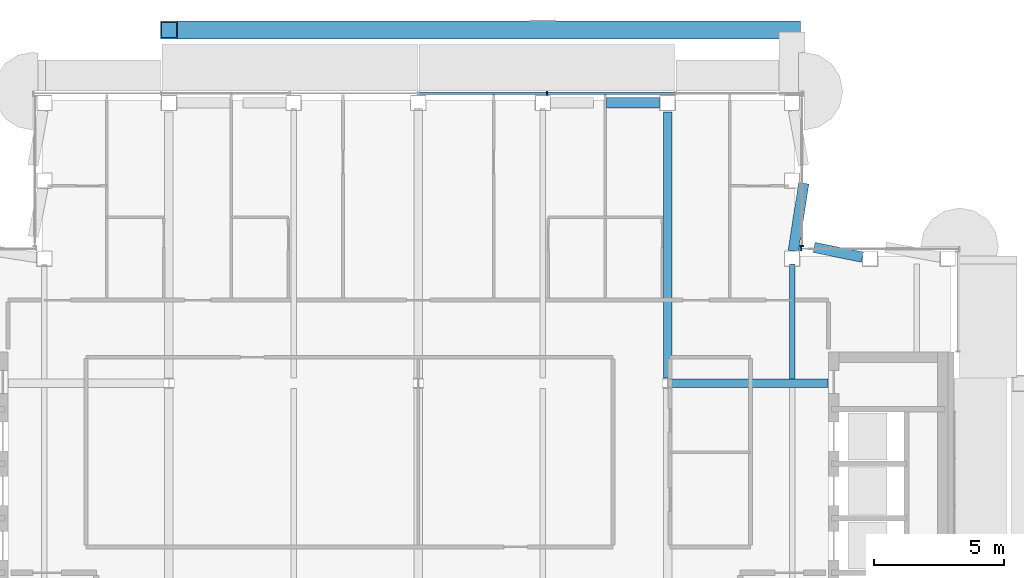
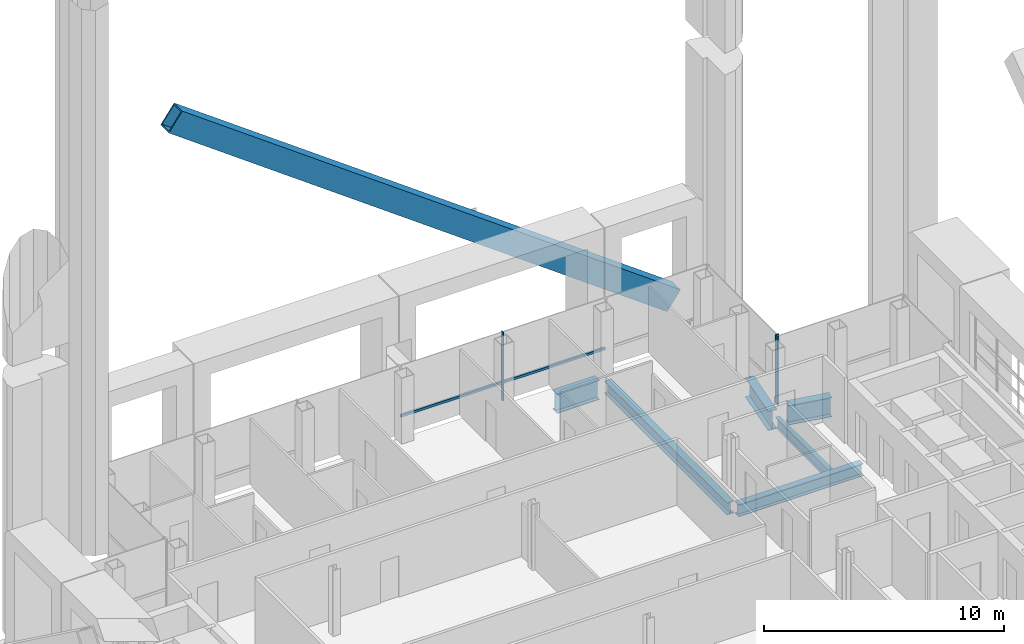
# One storey, part 10 of 29: 6 beams, 6 members, 3 elements without a shape of their own.
"""IFC4 building model written with IfcOpenShell, lengths in metres."""

from ifc_helpers import new_model, si_unit, direction, frame, origin, origin_2d, place, context, subcontext, project, spatial, rectangle, hollow_rectangle, i_section, extrude, material, material_profile, profile_set, type_object, element, aggregate, save


model = new_model("IFC4")

# Units and contexts
model_context = context("Model", 3, precision=1e-05, world=origin(), true_north=direction((0.0, 1.0)))
body_context = subcontext(model_context, "Body", "Model", "MODEL_VIEW")
ifc_project = project(units=[si_unit("LENGTHUNIT", "METRE"), si_unit("AREAUNIT", "SQUARE_METRE"), si_unit("VOLUMEUNIT", "CUBIC_METRE"), si_unit("PLANEANGLEUNIT", "RADIAN"), si_unit("MASSUNIT", "GRAM", prefix="KILO")], contexts=[model_context])

# Site, building, storey
site_placement = place(None, origin())
site = spatial("IfcSite", under=ifc_project, at=site_placement, CompositionType="ELEMENT")
building_placement = place(site_placement, origin())
building = spatial("IfcBuilding", under=site, at=building_placement, Name="Cobrizo Arcos Hotel Tower", CompositionType="ELEMENT")
storey_placement = place(building_placement, frame((0.0, 0.0, 241.0)))
storey = spatial("IfcBuildingStorey", under=building, at=storey_placement, Name="L63", CompositionType="ELEMENT", Elevation=241.0)

# Member
ifc_material_1 = material(Name="Steel ASTM A572 Grade 50", Category="steel")
ifc_material_profile_1 = material_profile(ifc_material_1, hollow_rectangle(XDim=0.699951171875, YDim=1.10009765625, WallThickness=0.06005859375, at=origin_2d()), Name="BOX 700X1100X60")
ifc_profile_set_1 = profile_set([ifc_material_profile_1], Name="Steel ASTM A572 Grade 50")
member_type_1 = type_object("IfcMemberType", Name="BOX 700X1100X60 perimeter brace", PredefinedType="BRACE", material=ifc_profile_set_1)
member_1_placement = place(storey_placement, frame((14.39990234375, 23.199951171875, 0.5), z_axis=(-0.808007530216, 0.0, 0.589172157449), x_axis=(0.0, -1.0, 0.0)))
element("IfcMember", 1, at=member_1_placement, inside=storey, type_object=member_type_1, Name="Perimeter brace PBR5, zone Z5, north face, no. 00", PredefinedType="BRACE", context=body_context, shape_type="SweptSolid", body=[
    extrude(hollow_rectangle(XDim=0.699951171875, YDim=1.10009765625, WallThickness=0.06005859375, at=origin_2d()), origin(), (0.0, 0.0, 1.0), 29.70263671875),
])

# Curtain wall, member
ifc_material_2 = material(Name="Aluminium 6063-T6 anodised bronze", Category="aluminium")
curtain_wall_type = type_object("IfcCurtainWallType", Name="CW-A guest facade", PredefinedType="NOTDEFINED", material=ifc_material_2)
curtain_wall_1_placement = place(storey_placement, origin())
curtain_wall_1 = element("IfcCurtainWall", 2, at=curtain_wall_1_placement, inside=storey, type_object=curtain_wall_type, Name="CW-A L63 N face", PredefinedType="NOTDEFINED")
ifc_material_profile_2 = material_profile(ifc_material_2, rectangle(XDim=0.14990234375, YDim=0.06005859375, at=origin_2d()), Name="CW-A mullion 150x60")
ifc_profile_set_2 = profile_set([ifc_material_profile_2], Name="Aluminium 6063-T6 anodised bronze")
member_type_2 = type_object("IfcMemberType", Name="CW-A mullion 150x60", PredefinedType="MULLION", material=ifc_profile_set_2)
member_2_placement = place(storey_placement, frame((14.72998046875, 14.77490234375, 0.0), z_axis=(0.0, 0.0, 1.0), x_axis=(0.0, 1.0, 0.0)))
member_2 = element("IfcMember", 3, at=member_2_placement, type_object=member_type_2, Name="CW-A mullion 2", PredefinedType="MULLION", context=body_context, shape_type="SweptSolid", body=[
    extrude(rectangle(XDim=0.14990234375, YDim=0.06005859375, at=origin_2d()), origin(), (0.0, 0.0, 1.0), 3.5),
])
aggregate(curtain_wall_1, [member_2])

curtain_wall_2_placement = place(storey_placement, origin())
curtain_wall_2 = element("IfcCurtainWall", 4, at=curtain_wall_2_placement, inside=storey, type_object=curtain_wall_type, Name="CW-A L63 E face", PredefinedType="NOTDEFINED")
member_3_placement = place(storey_placement, frame((14.77490234375, 14.8798828125, 0.0), z_axis=(0.0, 0.0, 1.0), x_axis=(1.0, 0.0, 0.0)))
member_3 = element("IfcMember", 5, at=member_3_placement, type_object=member_type_2, Name="CW-A mullion 1", PredefinedType="MULLION", context=body_context, shape_type="SweptSolid", body=[
    extrude(rectangle(XDim=0.14990234375, YDim=0.06005859375, at=origin_2d()), origin(), (0.0, 0.0, 1.0), 3.5),
])
aggregate(curtain_wall_2, [member_3])

# Curtain wall, members
curtain_wall_3_placement = place(storey_placement, origin())
curtain_wall_3 = element("IfcCurtainWall", 6, at=curtain_wall_3_placement, inside=storey, type_object=curtain_wall_type, Name="CW-A L63 N face", PredefinedType="NOTDEFINED")
member_4_placement = place(storey_placement, frame((4.949951171875, 20.77490234375, 0.0), z_axis=(0.0, 0.0, 1.0), x_axis=(0.0, 1.0, 0.0)))
member_4 = element("IfcMember", 7, at=member_4_placement, type_object=member_type_2, Name="CW-A mullion 3", PredefinedType="MULLION", context=body_context, shape_type="SweptSolid", body=[
    extrude(rectangle(XDim=0.14990234375, YDim=0.06005859375, at=origin_2d()), origin(), (0.0, 0.0, 1.0), 3.5),
])
ifc_material_profile_3 = material_profile(ifc_material_2, rectangle(XDim=0.10009765625, YDim=0.1201171875, at=origin_2d()), Name="CW-A transom 120x100")
ifc_profile_set_3 = profile_set([ifc_material_profile_3], Name="Aluminium 6063-T6 anodised bronze")
member_type_3 = type_object("IfcMemberType", Name="CW-A transom 120x100", PredefinedType="USERDEFINED", material=ifc_profile_set_3)
member_5_placement = place(storey_placement, frame((9.8701171875, 20.77490234375, 0.929931640625), z_axis=(-1.0, 0.0, 0.0), x_axis=(0.0, -1.0, 0.0)))
member_5 = element("IfcMember", 8, at=member_5_placement, type_object=member_type_3, Name="CW-A transom 2025", ObjectType="TRANSOM", PredefinedType="USERDEFINED", context=body_context, shape_type="SweptSolid", body=[
    extrude(rectangle(XDim=0.10009765625, YDim=0.1201171875, at=origin_2d()), origin(), (0.0, 0.0, 1.0), 4.89013671875),
])
member_6_placement = place(storey_placement, frame((4.919921875, 20.77490234375, 0.929931640625), z_axis=(-1.0, 0.0, 0.0), x_axis=(0.0, -1.0, 0.0)))
member_6 = element("IfcMember", 9, at=member_6_placement, type_object=member_type_3, Name="CW-A transom 2026", ObjectType="TRANSOM", PredefinedType="USERDEFINED", context=body_context, shape_type="SweptSolid", body=[
    extrude(rectangle(XDim=0.10009765625, YDim=0.1201171875, at=origin_2d()), origin(), (0.0, 0.0, 1.0), 4.889892578125),
])
aggregate(curtain_wall_3, [member_4, member_5, member_6])

# Beams
ifc_material_3 = material(Name="Steel ASTM A992 Grade 50", Category="steel")
ifc_material_profile_4 = material_profile(ifc_material_3, i_section(OverallWidth=0.209228515625, OverallDepth=0.533447265625, WebThickness=0.01025390625, FlangeThickness=0.015625, at=origin_2d()), Name="W21X62")
ifc_profile_set_4 = profile_set([ifc_material_profile_4], Name="Steel ASTM A992 Grade 50")
beam_type_1 = type_object("IfcBeamType", Name="W21X62 joist", PredefinedType="JOIST", material=ifc_profile_set_4)
beam_1_placement = place(storey_placement, frame((14.39990234375, 9.763916015625, -0.416748046875), z_axis=(0.0, 1.0, 0.0), x_axis=(-1.0, 0.0, 0.0)))
element("IfcBeam", 10, at=beam_1_placement, inside=storey, type_object=beam_type_1, Name="Floor joist J1, L63, no. 018", PredefinedType="JOIST", context=body_context, shape_type="SweptSolid", body=[
    extrude(i_section(OverallWidth=0.209228515625, OverallDepth=0.533447265625, WebThickness=0.01025390625, FlangeThickness=0.015625, at=origin_2d()), origin(), (0.0, 0.0, 1.0), 4.435546875),
])
ifc_material_profile_5 = material_profile(ifc_material_3, i_section(OverallWidth=0.32763671875, OverallDepth=0.622314453125, WebThickness=0.015380859375, FlangeThickness=0.0244140625, at=origin_2d()), Name="W24X131")
ifc_profile_set_5 = profile_set([ifc_material_profile_5], Name="Steel ASTM A992 Grade 50")
beam_type_2 = type_object("IfcBeamType", Name="W24X131 girder", PredefinedType="BEAM", material=ifc_profile_set_5)
beam_2_placement = place(storey_placement, frame((9.78662109375, 9.60009765625, -0.461181640625), z_axis=(1.0, 0.0, 0.0), x_axis=(0.0, 1.0, 0.0)))
element("IfcBeam", 11, at=beam_2_placement, inside=storey, type_object=beam_type_2, Name="Floor girder G1, L63, no. 006", PredefinedType="BEAM", context=body_context, shape_type="SweptSolid", body=[
    extrude(i_section(OverallWidth=0.32763671875, OverallDepth=0.622314453125, WebThickness=0.015380859375, FlangeThickness=0.0244140625, at=origin_2d()), origin(), (0.0, 0.0, 1.0), 6.00341796875),
])
beam_3_placement = place(storey_placement, frame((9.60009765625, 9.800537109375, -0.461181640625), z_axis=(0.0, 1.0, 0.0), x_axis=(-1.0, 0.0, 0.0)))
element("IfcBeam", 12, at=beam_3_placement, inside=storey, type_object=beam_type_2, Name="Floor girder G1, L63, no. 018", PredefinedType="BEAM", context=body_context, shape_type="SweptSolid", body=[
    extrude(i_section(OverallWidth=0.32763671875, OverallDepth=0.622314453125, WebThickness=0.015380859375, FlangeThickness=0.0244140625, at=origin_2d()), origin(), (0.0, 0.0, 1.0), 10.24951171875),
])
ifc_material_profile_6 = material_profile(ifc_material_3, i_section(OverallWidth=0.4013671875, OverallDepth=0.990478515625, WebThickness=0.0166015625, FlangeThickness=0.025390625, at=origin_2d()), Name="W40X215")
ifc_profile_set_6 = profile_set([ifc_material_profile_6], Name="Steel ASTM A992 Grade 50")
beam_type_3 = type_object("IfcBeamType", Name="W40X215 transfer girder", PredefinedType="BEAM", material=ifc_profile_set_6)
beam_4_placement = place(storey_placement, frame((7.25, 20.39990234375, -0.645263671875), z_axis=(1.0, 0.0, 0.0), x_axis=(0.0, 1.0, 0.0)))
element("IfcBeam", 13, at=beam_4_placement, inside=storey, type_object=beam_type_3, Name="Setback transfer girder TG1, L63, no. 009", PredefinedType="BEAM", context=body_context, shape_type="SweptSolid", body=[
    extrude(i_section(OverallWidth=0.4013671875, OverallDepth=0.990478515625, WebThickness=0.0166015625, FlangeThickness=0.025390625, at=origin_2d()), origin(), (0.0, 0.0, 1.0), 2.050048828125),
])
beam_5_placement = place(storey_placement, frame((14.8466796875, 17.30419921875, -0.645263671875), z_axis=(-0.152036323548, -0.988374906765, 0.0), x_axis=(0.988374906765, -0.152036323548, 0.0)))
element("IfcBeam", 14, at=beam_5_placement, inside=storey, type_object=beam_type_3, Name="Setback transfer girder TG1, L63, no. 023", PredefinedType="BEAM", context=body_context, shape_type="SweptSolid", body=[
    extrude(i_section(OverallWidth=0.4013671875, OverallDepth=0.990478515625, WebThickness=0.0166015625, FlangeThickness=0.025390625, at=origin_2d()), origin(), (0.0, 0.0, 1.0), 2.638427734375),
])
beam_6_placement = place(storey_placement, frame((15.2431640625, 14.831298828125, -0.645263671875), z_axis=(0.980575731815, -0.196140852897, 0.0), x_axis=(0.196140852897, 0.980575731815, 0.0)))
element("IfcBeam", 15, at=beam_6_placement, inside=storey, type_object=beam_type_3, Name="Setback transfer girder TG1, L63, no. 024", PredefinedType="BEAM", context=body_context, shape_type="SweptSolid", body=[
    extrude(i_section(OverallWidth=0.4013671875, OverallDepth=0.990478515625, WebThickness=0.0166015625, FlangeThickness=0.025390625, at=origin_2d()), origin(), (0.0, 0.0, 1.0), 1.8994140625),
])

save(model, "model.ifc")
